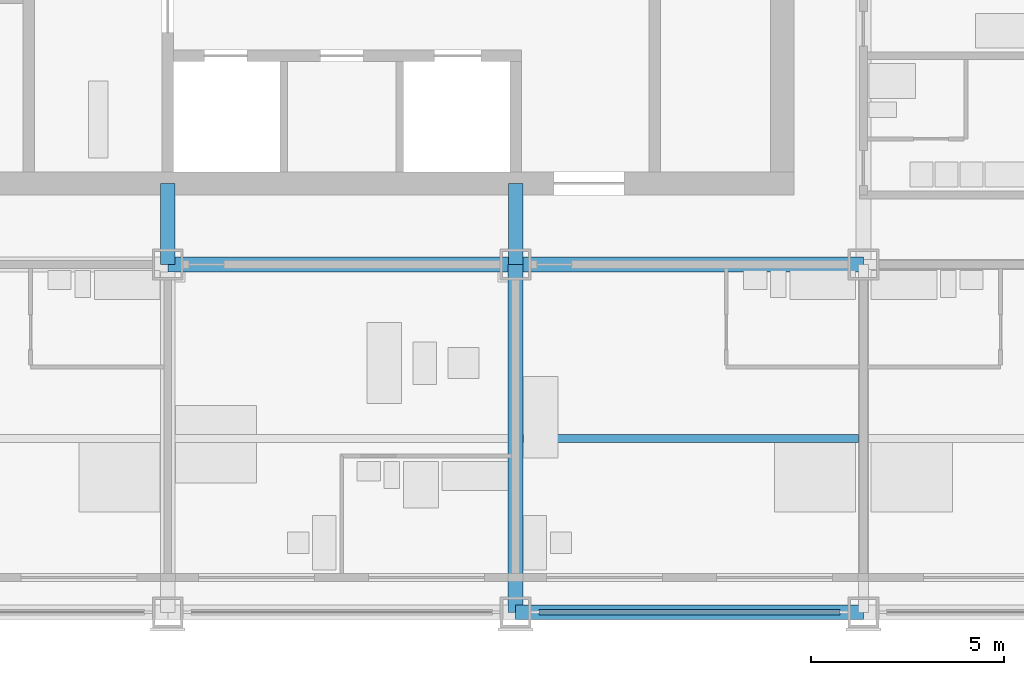
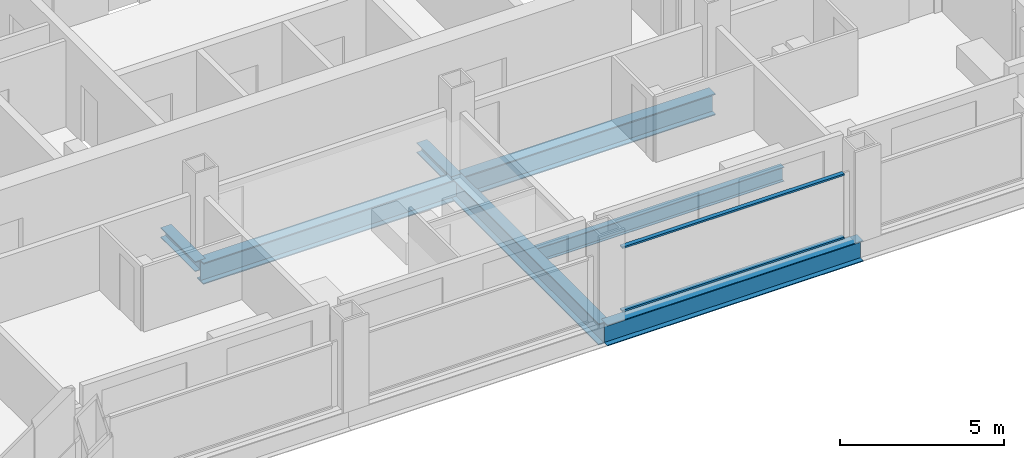
# One storey, part 3 of 13: 5 beams, 4 members, 1 element without a shape of its own.
"""IFC4 building model written with IfcOpenShell, lengths in metres."""

import ifcopenshell
import ifcopenshell.guid

model = None  # the IFC model being written
_history = None  # IfcOwnerHistory: only IFC2X3 demands one
_inside = {}  # id of a spatial element -> (the spatial element, [elements in it])
_under = {}  # id of a project, library or spatial element -> (it, [spatial elements below it])
_declared = {}  # id of a project -> (the project, [libraries it declares])
_typed = {}  # id of a type object -> (the type object, [elements of that type])
_made_of = {}  # id of a material, layer set ... -> (it, [elements and type objects made of it])


def new_model(schema):
    """Start an empty IFC model of exactly this schema.

    Asked for "IFC4X3", IfcOpenShell would pick the latest addendum, in which some entities
    have other attributes; the version numbers below select the first issue.
    IFC2X3 requires an IfcOwnerHistory on every rooted entity: one is made here for all.
    """
    global model, _history
    if schema == "IFC4X3":
        model = ifcopenshell.file(schema_version=(4, 3, 0, 0))
    else:
        model = ifcopenshell.file(schema=schema)
    _inside.clear()
    _under.clear()
    _declared.clear()
    _typed.clear()
    _made_of.clear()
    _history = None
    if model.schema == "IFC2X3":
        org = make("IfcOrganization", Name="unknown")
        user = make(
            "IfcPersonAndOrganization",
            ThePerson=make("IfcPerson", FamilyName="unknown"),
            TheOrganization=org,
        )
        app = make(
            "IfcApplication",
            ApplicationDeveloper=org,
            Version="unknown",
            ApplicationFullName="unknown",
            ApplicationIdentifier="unknown",
        )
        _history = make(
            "IfcOwnerHistory",
            OwningUser=user,
            OwningApplication=app,
            ChangeAction="ADDED",
            CreationDate=0,
        )
    return model


def make(cls, **values):
    """One entity of the class cls with the attributes given. An attribute that is None is left unset."""
    return model.create_entity(
        cls, **{name: value for name, value in values.items() if value is not None}
    )


def rooted(cls, **values):
    """An entity with a GlobalId (a new one), such as an element, a storey or a relation."""
    return make(cls, GlobalId=ifcopenshell.guid.new(), OwnerHistory=_history, **values)


def si_unit(unit_type, name, prefix=None):
    """IfcSIUnit, for example si_unit("LENGTHUNIT", "METRE", prefix="MILLI")."""
    return make("IfcSIUnit", UnitType=unit_type, Prefix=prefix, Name=name)


def assignment(units):
    """IfcUnitAssignment: the units of a project."""
    return None if units is None else make("IfcUnitAssignment", Units=units)


def point(xyz):
    """IfcCartesianPoint."""
    return None if xyz is None else make("IfcCartesianPoint", Coordinates=xyz)


def direction(xyz):
    """IfcDirection."""
    return None if xyz is None else make("IfcDirection", DirectionRatios=xyz)


def frame(location, z_axis=None, x_axis=None):
    """IfcAxis2Placement3D, a coordinate frame: its origin and axes. An axis left out is left unset."""
    return make(
        "IfcAxis2Placement3D",
        Location=point(location),
        Axis=direction(z_axis),
        RefDirection=direction(x_axis),
    )


def frame_2d(location, x_axis=None):
    """IfcAxis2Placement2D, a coordinate frame in the plane: its origin and x axis."""
    return make(
        "IfcAxis2Placement2D", Location=point(location), RefDirection=direction(x_axis)
    )


def origin():
    """The frame at (0, 0, 0) with its axes left unset."""
    return frame((0.0, 0.0, 0.0))


def origin_2d():
    """The frame at (0, 0) in the plane with its x axis left unset."""
    return frame_2d((0.0, 0.0))


def place(relative_to, where):
    """IfcLocalPlacement: puts the frame where relative to a parent placement (None: the world)."""
    return make(
        "IfcLocalPlacement", PlacementRelTo=relative_to, RelativePlacement=where
    )


def context(
    kind, dimensions, precision=None, world=None, true_north=None, identifier=None
):
    """IfcGeometricRepresentationContext, for example the 3D "Model" context."""
    return make(
        "IfcGeometricRepresentationContext",
        ContextIdentifier=identifier,
        ContextType=kind,
        CoordinateSpaceDimension=dimensions,
        Precision=precision,
        WorldCoordinateSystem=world,
        TrueNorth=true_north,
    )


def subcontext(parent, identifier, kind, view, scale=None):
    """IfcGeometricRepresentationSubContext, for example "Body" below "Model"."""
    return make(
        "IfcGeometricRepresentationSubContext",
        ContextIdentifier=identifier,
        ContextType=kind,
        ParentContext=parent,
        TargetScale=scale,
        TargetView=view,
    )


def project(units=None, contexts=None):
    """IfcProject with its units and contexts."""
    return rooted(
        "IfcProject",
        Name="project",
        RepresentationContexts=contexts,
        UnitsInContext=assignment(units),
    )


def spatial(cls, under=None, at=None, **own):
    """A site, building, storey or space (cls), placed at a placement, below another one or the project."""
    s = rooted(cls, ObjectPlacement=at, **own)
    if under is not None:
        _under.setdefault(under.id(), (under, []))[1].append(s)
    return s


def profile(cls, at=None, kind="AREA", **sizes):
    """A parametric profile (cls). Its sizes go by their IFC names, for example OverallWidth=200.0."""
    return make(cls, ProfileType=kind, Position=at, **sizes)


def rectangle(**sizes):
    """IfcRectangleProfileDef."""
    return profile("IfcRectangleProfileDef", **sizes)


def i_section(**sizes):
    """IfcIShapeProfileDef."""
    return profile("IfcIShapeProfileDef", **sizes)


def extrude(swept, where, along, depth):
    """IfcExtrudedAreaSolid: the profile swept, set in the frame where, extruded along a direction by depth."""
    return make(
        "IfcExtrudedAreaSolid",
        SweptArea=swept,
        Position=where,
        ExtrudedDirection=direction(along),
        Depth=depth,
    )


def shape(context_of_items, identifier, shape_type, items):
    """IfcShapeRepresentation: the items that make up one representation, for example the "Body"."""
    return make(
        "IfcShapeRepresentation",
        ContextOfItems=context_of_items,
        RepresentationIdentifier=identifier,
        RepresentationType=shape_type,
        Items=items,
    )


def material(Name=None, Category=None):
    """IfcMaterial."""
    return make("IfcMaterial", Name=Name, Category=Category)


def material_profile(
    of_material, cross_section, Name=None, Category=None, Priority=None
):
    """IfcMaterialProfile: a cross section and its material."""
    return make(
        "IfcMaterialProfile",
        Name=Name,
        Material=of_material,
        Profile=cross_section,
        Priority=Priority,
        Category=Category,
    )


def profile_set(profiles, Name=None, composite=None):
    """IfcMaterialProfileSet."""
    return make(
        "IfcMaterialProfileSet",
        Name=Name,
        MaterialProfiles=profiles,
        CompositeProfile=composite,
    )


def made_of(thing, what):
    """Note that an element or type object is made of a material, layer set ...; save() writes the relation."""
    if what is not None:
        _made_of.setdefault(what.id(), (what, []))[1].append(thing)
    return thing


def type_object(cls, material=None, **own):
    """A type object (cls), such as IfcWallType, which elements share."""
    return made_of(rooted(cls, **own), material)


def element(
    cls,
    number,
    at=None,
    inside=None,
    cuts=None,
    type_object=None,
    material=None,
    context=None,
    identifier="Body",
    shape_type=None,
    held_by="IfcProductDefinitionShape",
    body=None,
    shapes=None,
    **own,
):
    """One element of the class cls, such as IfcWall. Its Tag is "e" and its number.

    at: its placement. inside: the storey or other place that contains it. cuts: it is an
    opening in that element (IfcRelVoidsElement). A single representation is given by context,
    identifier, shape_type and body (its items); several are given by shapes. held_by: the class
    of the entity that holds the representations. save() writes the other relations.
    """
    e = rooted(cls, Tag="e%d" % number, ObjectPlacement=at, **own)
    if body is not None:
        shapes = [shape(context, identifier, shape_type, body)]
    if shapes is not None:
        e.Representation = make(held_by, Representations=shapes)
    if inside is not None:
        _inside.setdefault(inside.id(), (inside, []))[1].append(e)
    if cuts is not None:
        rooted(
            "IfcRelVoidsElement", RelatingBuildingElement=cuts, RelatedOpeningElement=e
        )
    if type_object is not None:
        _typed.setdefault(type_object.id(), (type_object, []))[1].append(e)
    return made_of(e, material)


def aggregate(whole, parts):
    """IfcRelAggregates: a whole, such as a stair, and the parts it consists of."""
    return rooted("IfcRelAggregates", RelatingObject=whole, RelatedObjects=parts)


def save(model, path):
    """Write the relations noted so far, then the file.

    IfcRelAggregates (storeys below a building ...), IfcRelContainedInSpatialStructure (elements
    in a storey), IfcRelDefinesByType, IfcRelAssociatesMaterial and IfcRelDeclares: one each for
    every whole, place, type object, material and project.
    """
    for whole, parts in _under.values():
        aggregate(whole, parts)
    for where, things in _inside.values():
        rooted(
            "IfcRelContainedInSpatialStructure",
            RelatedElements=things,
            RelatingStructure=where,
        )
    for kind, things in _typed.values():
        rooted("IfcRelDefinesByType", RelatedObjects=things, RelatingType=kind)
    for what, things in _made_of.values():
        rooted("IfcRelAssociatesMaterial", RelatedObjects=things, RelatingMaterial=what)
    for by, libraries in _declared.values():
        rooted("IfcRelDeclares", RelatingContext=by, RelatedDefinitions=libraries)
    model.write(path)


model = new_model("IFC4")

# Units and contexts
model_context = context("Model", 3, precision=1e-05, world=origin(), true_north=direction((0.0, 1.0)))
body_context = subcontext(model_context, "Body", "Model", "MODEL_VIEW")
ifc_project = project(units=[si_unit("LENGTHUNIT", "METRE"), si_unit("AREAUNIT", "SQUARE_METRE"), si_unit("VOLUMEUNIT", "CUBIC_METRE"), si_unit("PLANEANGLEUNIT", "RADIAN"), si_unit("MASSUNIT", "GRAM", prefix="KILO")], contexts=[model_context])

# Site, building, storey
site_placement = place(None, origin())
site = spatial("IfcSite", under=ifc_project, at=site_placement, CompositionType="ELEMENT")
building_placement = place(site_placement, origin())
building = spatial("IfcBuilding", under=site, at=building_placement, Name="Loomwork Tower", CompositionType="ELEMENT")
storey_placement = place(building_placement, frame((0.0, 0.0, 177.39990234375)))
storey = spatial("IfcBuildingStorey", under=building, at=storey_placement, Name="L48", CompositionType="ELEMENT", Elevation=177.39990234375)

# Beams
ifc_material_1 = material(Name="Steel ASTM A992", Category="steel")
ifc_material_profile_1 = material_profile(ifc_material_1, i_section(OverallWidth=0.383544921875, OverallDepth=0.794921875, WebThickness=0.02099609375, FlangeThickness=0.0380859375, at=origin_2d()), Name="W30x235")
ifc_profile_set_1 = profile_set([ifc_material_profile_1], Name="Steel ASTM A992")
beam_type_1 = type_object("IfcBeamType", Name="CORE FLANK GIRDER W30x235", PredefinedType="BEAM", material=ifc_profile_set_1)
for number, where, z_axis, x_axis, name in (
    (1, (18.0, 9.0, -0.597412109375), (1.0, 0.0, 0.0), (0.0, 1.0, 0.0), "Core Flank Girder E/4-E/5 L48"),
    (2, (27.0, 9.0, -0.597412109375), (1.0, 0.0, 0.0), (0.0, 1.0, 0.0), "Core Flank Girder E/5-E/6 L48"),
    (3, (27.0, 0.0, -0.597412109375), (0.0, 1.0, 0.0), (-1.0, 0.0, 0.0), "Core Flank Girder D/5-E/5 L48"),
):
    element("IfcBeam", number, at=place(storey_placement, frame(where, z_axis=z_axis, x_axis=x_axis)), inside=storey, type_object=beam_type_1, Name=name, PredefinedType="BEAM", context=body_context, shape_type="SweptSolid", body=[
        extrude(i_section(OverallWidth=0.383544921875, OverallDepth=0.794921875, WebThickness=0.02099609375, FlangeThickness=0.0380859375, at=origin_2d()), origin(), (0.0, 0.0, 1.0), 9.0),
    ])

# Members
ifc_material_2 = material(Name="Steel ASTM A992", Category="steel")
ifc_material_profile_2 = material_profile(ifc_material_2, i_section(OverallWidth=0.373291015625, OverallDepth=0.373291015625, WebThickness=0.016357421875, FlangeThickness=0.026123046875, at=origin_2d()), Name="W14x132")
ifc_profile_set_2 = profile_set([ifc_material_profile_2], Name="Steel ASTM A992")
member_type_1 = type_object("IfcMemberType", Name="CORE LINK STRUT W14x132", PredefinedType="STRUT", material=ifc_profile_set_2)
for number, where, z_axis, x_axis, name in (
    (4, (27.0, 9.0, -0.386474609375), (0.0, 1.0, 0.0), (-1.0, 0.0, 0.0), "Core link strut E/5-27.000,11.100 L48"),
    (5, (18.0, 9.0, -0.386474609375), (0.0, 1.0, 0.0), (-1.0, 0.0, 0.0), "Core link strut E/4-18.000,11.100 L48"),
):
    element("IfcMember", number, at=place(storey_placement, frame(where, z_axis=z_axis, x_axis=x_axis)), inside=storey, type_object=member_type_1, Name=name, PredefinedType="STRUT", context=body_context, shape_type="SweptSolid", body=[
        extrude(i_section(OverallWidth=0.373291015625, OverallDepth=0.373291015625, WebThickness=0.016357421875, FlangeThickness=0.026123046875, at=origin_2d()), origin(), (0.0, 0.0, 1.0), 2.10009765625),
    ])

# Beam
ifc_material_3 = material(Name="Steel ASTM A992", Category="steel")
ifc_material_profile_3 = material_profile(ifc_material_3, i_section(OverallWidth=0.2109375, OverallDepth=0.53857421875, WebThickness=0.011474609375, FlangeThickness=0.018798828125, at=origin_2d()), Name="W21x73")
ifc_profile_set_3 = profile_set([ifc_material_profile_3], Name="Steel ASTM A992")
beam_type_2 = type_object("IfcBeamType", Name="FLOOR JOIST W21x73", PredefinedType="JOIST", material=ifc_profile_set_3)
beam_1_placement = place(storey_placement, frame((27.19091796875, 4.5, -0.46923828125), z_axis=(1.0, 0.0, 0.0), x_axis=(0.0, 1.0, 0.0)))
element("IfcBeam", 6, at=beam_1_placement, inside=storey, type_object=beam_type_2, Name="Floor Joist 27.000,4.500-36.000,4.500 L48", PredefinedType="JOIST", context=body_context, shape_type="SweptSolid", body=[
    extrude(i_section(OverallWidth=0.2109375, OverallDepth=0.53857421875, WebThickness=0.011474609375, FlangeThickness=0.018798828125, at=origin_2d()), origin(), (0.0, 0.0, 1.0), 8.676025390625),
])

# Curtain wall, members
ifc_material_4 = material(Name="Aluminium curtain wall frame", Category="aluminium")
curtain_wall_type = type_object("IfcCurtainWallType", Name="Outer skin glazing hotel", PredefinedType="NOTDEFINED", material=ifc_material_4)
curtain_wall_placement = place(storey_placement, origin())
curtain_wall = element("IfcCurtainWall", 7, at=curtain_wall_placement, inside=storey, type_object=curtain_wall_type, Name="Outer skin glazing hotel cw/S-27", PredefinedType="NOTDEFINED")
ifc_material_5 = material(Name="Aluminium curtain wall frame", Category="aluminium")
ifc_material_profile_4 = material_profile(ifc_material_5, rectangle(XDim=0.14990234375, YDim=0.06494140625, at=origin_2d()), Name="AL 65x150")
ifc_profile_set_4 = profile_set([ifc_material_profile_4], Name="Aluminium curtain wall frame")
member_type_2 = type_object("IfcMemberType", Name="Outer skin glazing hotel transom", PredefinedType="USERDEFINED", material=ifc_profile_set_4)
member_1_placement = place(storey_placement, frame((27.60009765625, 0.0, 0.03271484375), z_axis=(1.0, 0.0, 0.0), x_axis=(0.0, 1.0, 0.0)))
member_1 = element("IfcMember", 8, at=member_1_placement, type_object=member_type_2, Name="CW1 transom 1.1", ObjectType="TRANSOM", PredefinedType="USERDEFINED", context=body_context, shape_type="SweptSolid", body=[
    extrude(rectangle(XDim=0.14990234375, YDim=0.06494140625, at=origin_2d()), origin(), (0.0, 0.0, 1.0), 7.7998046875),
])
member_2_placement = place(storey_placement, frame((27.60009765625, 0.0, 2.3876953125), z_axis=(1.0, 0.0, 0.0), x_axis=(0.0, 1.0, 0.0)))
member_2 = element("IfcMember", 9, at=member_2_placement, type_object=member_type_2, Name="CW1 transom 1.2", ObjectType="TRANSOM", PredefinedType="USERDEFINED", context=body_context, shape_type="SweptSolid", body=[
    extrude(rectangle(XDim=0.14990234375, YDim=0.06494140625, at=origin_2d()), origin(), (0.0, 0.0, 1.0), 7.7998046875),
])
aggregate(curtain_wall, [member_1, member_2])

# Beam
ifc_material_6 = material(Name="Steel ASTM A992", Category="steel")
ifc_material_profile_5 = material_profile(ifc_material_6, i_section(OverallWidth=0.381103515625, OverallDepth=0.77978515625, WebThickness=0.01806640625, FlangeThickness=0.0302734375, at=origin_2d()), Name="W30x191")
ifc_profile_set_5 = profile_set([ifc_material_profile_5], Name="Steel ASTM A992")
beam_type_3 = type_object("IfcBeamType", Name="SPANDREL GIRDER W30x191", PredefinedType="SPANDREL", material=ifc_profile_set_5)
beam_2_placement = place(storey_placement, frame((27.0, 0.0, -0.58984375), z_axis=(1.0, 0.0, 0.0), x_axis=(0.0, 1.0, 0.0)))
element("IfcBeam", 10, at=beam_2_placement, inside=storey, type_object=beam_type_3, Name="Spandrel Girder D/5-D/6 L48", PredefinedType="SPANDREL", context=body_context, shape_type="SweptSolid", body=[
    extrude(i_section(OverallWidth=0.381103515625, OverallDepth=0.77978515625, WebThickness=0.01806640625, FlangeThickness=0.0302734375, at=origin_2d()), origin(), (0.0, 0.0, 1.0), 9.0),
])

save(model, "model.ifc")
